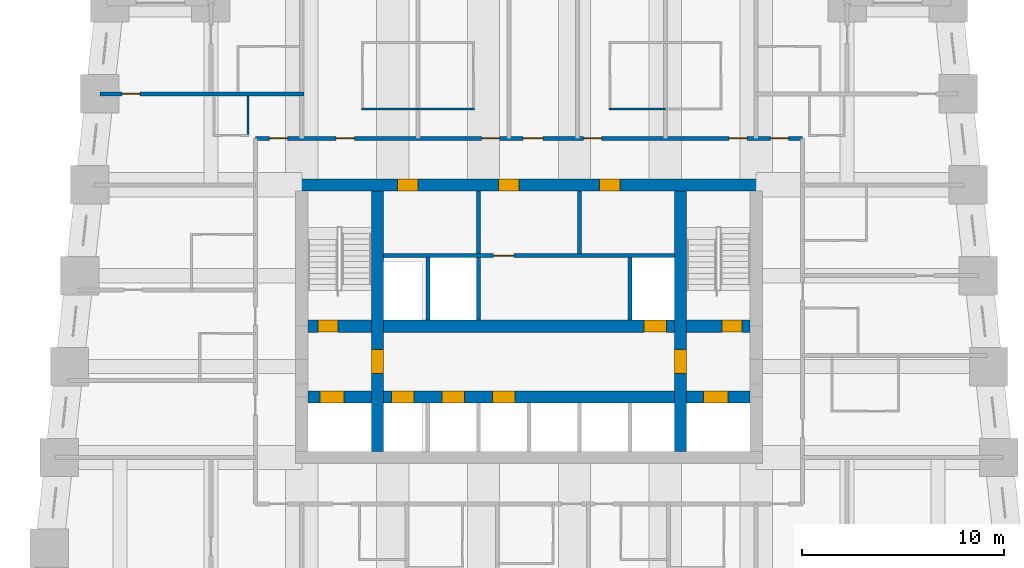
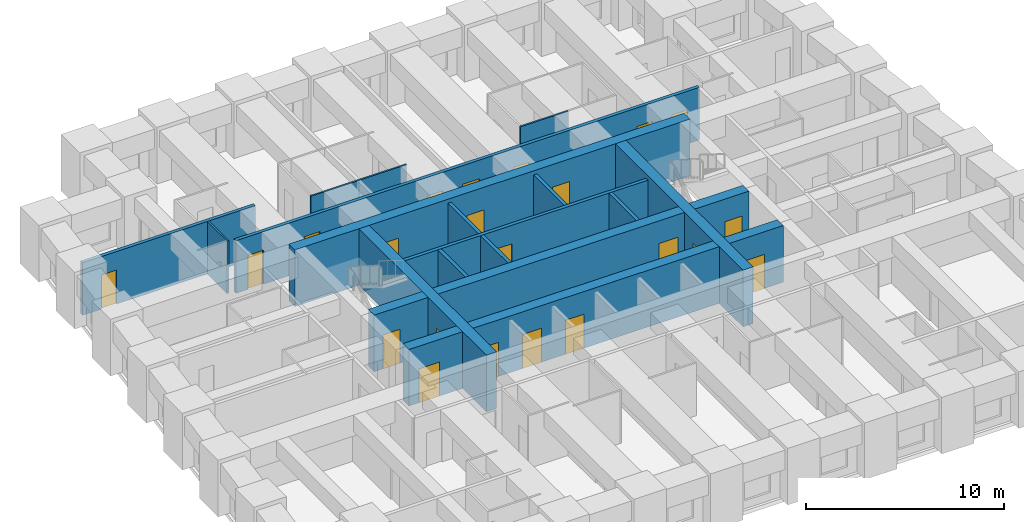
# One storey, part 4 of 8: 22 doors, 17 walls, 22 openings.
"""IFC4 building model written with IfcOpenShell, lengths in metres."""

from ifc_helpers import new_model, si_unit, direction, frame, frame_2d, origin, place, context, subcontext, project, spatial, rectangle, extrude, material, layer, layer_set, type_object, element, fill, save


model = new_model("IFC4")

# Units and contexts
model_context = context("Model", 3, precision=1e-05, world=origin(), true_north=direction((0.0, 1.0)))
body_context = subcontext(model_context, "Body", "Model", "MODEL_VIEW")
ifc_project = project(units=[si_unit("LENGTHUNIT", "METRE"), si_unit("AREAUNIT", "SQUARE_METRE"), si_unit("VOLUMEUNIT", "CUBIC_METRE"), si_unit("PLANEANGLEUNIT", "RADIAN"), si_unit("MASSUNIT", "GRAM", prefix="KILO")], contexts=[model_context])

# Site, building, storey
site_placement = place(None, origin())
site = spatial("IfcSite", under=ifc_project, at=site_placement, CompositionType="ELEMENT")
building_placement = place(site_placement, origin())
building = spatial("IfcBuilding", under=site, at=building_placement, Name="Kilele Tower Hotel", CompositionType="ELEMENT")
storey_placement = place(building_placement, frame((0.0, 0.0, 75.199951171875)))
storey = spatial("IfcBuildingStorey", under=building, at=storey_placement, Name="L18", CompositionType="ELEMENT", Elevation=75.199951171875)

# Walls
ifc_material_1 = material(Name="Moisture-resistant board")
ifc_layer_1 = layer(ifc_material_1, 0.10009765625)
ifc_layer_set_1 = layer_set([ifc_layer_1], Name="Moisture-resistant board")
wall_type_1 = type_object("IfcWallType", Name="Bathroom partition 100", PredefinedType="PLUMBINGWALL", material=ifc_layer_set_1)
for number, where, z_axis, x_axis, name in (
    (1, (16.449951171875, 30.75, 0.0), (0.0, 0.0, 1.0), (1.0, 0.0, 0.0), "Bathroom partition 100 L18"),
    (2, (19.25, 30.75, 0.0), (0.0, 0.0, 1.0), (1.0, 0.0, 0.0), "Bathroom partition 100 L18"),
    (3, (28.699951171875, 30.75, 0.0), (0.0, 0.0, 1.0), (1.0, 0.0, 0.0), "Bathroom partition 100 L18"),
):
    element("IfcWall", number, at=place(storey_placement, frame(where, z_axis=z_axis, x_axis=x_axis)), inside=storey, type_object=wall_type_1, Name=name, PredefinedType="PLUMBINGWALL", context=body_context, shape_type="SweptSolid", body=[
        extrude(rectangle(XDim=2.800048828125, YDim=0.10009765625, at=frame_2d((1.39990234375, 0.0))), origin(), (0.0, 0.0, 1.0), 3.25),
    ])
wall_1_placement = place(storey_placement, frame((10.85009765625, 31.39990234375, 0.0), z_axis=(0.0, 0.0, 1.0), x_axis=(0.0, -1.0, 0.0)))
element("IfcWall", 4, at=wall_1_placement, inside=storey, type_object=wall_type_1, Name="Bathroom partition 100 L18", PredefinedType="PLUMBINGWALL", context=body_context, shape_type="SweptSolid", body=[
    extrude(rectangle(XDim=2.0, YDim=0.10009765625, at=frame_2d((1.0, 0.0))), origin(), (0.0, 0.0, 1.0), 3.25),
])

# Wall, openings, doors
ifc_material_2 = material(Name="Concrete C60/75", Category="concrete")
ifc_layer_2 = layer(ifc_material_2, 0.60009765625)
ifc_layer_set_2 = layer_set([ifc_layer_2], Name="Concrete C60/75")
wall_type_2 = type_object("IfcWallType", Name="Core wall 600 C60/75", PredefinedType="SHEAR", material=ifc_layer_set_2)
wall_2_placement = place(storey_placement, frame((36.300048828125, 27.0, 0.0), z_axis=(0.0, 0.0, 1.0), x_axis=(-1.0, 0.0, 0.0)))
wall_2 = element("IfcWall", 5, at=wall_2_placement, inside=storey, type_object=wall_type_2, Name="Core wall N L18", PredefinedType="SHEAR", context=body_context, shape_type="SweptSolid", body=[
    extrude(rectangle(XDim=23.10009765625, YDim=0.60009765625, at=frame_2d((11.550048828125, 0.0))), origin(), (0.0, 0.0, 1.0), 3.5),
])
opening_1_placement = place(wall_2_placement, frame((17.050048828125, 0.0, 0.0)))
opening_1 = element("IfcOpeningElement", 6, at=opening_1_placement, cuts=wall_2, Name="Opening D6", PredefinedType="OPENING", context=body_context, shape_type="SweptSolid", body=[
    extrude(rectangle(XDim=1.0, YDim=2.10009765625, at=frame_2d((0.5, 1.050048828125))), frame((0.0, 0.31005859375, 0.0), z_axis=(0.0, -1.0, 0.0), x_axis=(1.0, 0.0, 0.0)), (0.0, 0.0, 1.0), 0.6201171875),
])
opening_2_placement = place(wall_2_placement, frame((12.050048828125, 0.0, 0.0)))
opening_2 = element("IfcOpeningElement", 7, at=opening_2_placement, cuts=wall_2, Name="Opening D6", PredefinedType="OPENING", context=body_context, shape_type="SweptSolid", body=[
    extrude(rectangle(XDim=1.0, YDim=2.10009765625, at=frame_2d((0.5, 1.050048828125))), frame((0.0, 0.31005859375, 0.0), z_axis=(0.0, -1.0, 0.0), x_axis=(1.0, 0.0, 0.0)), (0.0, 0.0, 1.0), 0.6201171875),
])
opening_3_placement = place(wall_2_placement, frame((7.050048828125, 0.0, 0.0)))
opening_3 = element("IfcOpeningElement", 8, at=opening_3_placement, cuts=wall_2, Name="Opening D6", PredefinedType="OPENING", context=body_context, shape_type="SweptSolid", body=[
    extrude(rectangle(XDim=1.0, YDim=2.10009765625, at=frame_2d((0.5, 1.050048828125))), frame((0.0, 0.31005859375, 0.0), z_axis=(0.0, -1.0, 0.0), x_axis=(1.0, 0.0, 0.0)), (0.0, 0.0, 1.0), 0.6201171875),
])
ifc_material_3 = material(Name="Timber door leaf in hardwood frame", Category="wood")
door_type_1 = type_object("IfcDoorType", Name="Riser door 1000", OperationType="SINGLE_SWING_LEFT", PredefinedType="DOOR", material=ifc_material_3)
door_1_placement = place(opening_1_placement, origin())
door_1 = element("IfcDoor", 9, at=door_1_placement, inside=storey, type_object=door_type_1, Name="Service riser door L18", OperationType="SINGLE_SWING_RIGHT", OverallHeight=2.10009765625, OverallWidth=1.0, PredefinedType="DOOR", context=body_context, shape_type="SweptSolid", body=[
    extrude(rectangle(XDim=1.0, YDim=2.10009765625, at=frame_2d((0.5, 1.050048828125))), frame((0.0, 0.2998046875, 0.0), z_axis=(0.0, -1.0, 0.0), x_axis=(1.0, 0.0, 0.0)), (0.0, 0.0, 1.0), 0.599609375),
])
fill(opening_1, door_1)
door_2_placement = place(opening_2_placement, origin())
door_2 = element("IfcDoor", 10, at=door_2_placement, inside=storey, type_object=door_type_1, Name="Housekeeping store door L18", OperationType="SINGLE_SWING_RIGHT", OverallHeight=2.10009765625, OverallWidth=1.0, PredefinedType="DOOR", context=body_context, shape_type="SweptSolid", body=[
    extrude(rectangle(XDim=1.0, YDim=2.10009765625, at=frame_2d((0.5, 1.050048828125))), frame((0.0, 0.2998046875, 0.0), z_axis=(0.0, -1.0, 0.0), x_axis=(1.0, 0.0, 0.0)), (0.0, 0.0, 1.0), 0.599609375),
])
fill(opening_2, door_2)
door_3_placement = place(opening_3_placement, origin())
door_3 = element("IfcDoor", 11, at=door_3_placement, inside=storey, type_object=door_type_1, Name="Electrical riser door L18", OperationType="SINGLE_SWING_RIGHT", OverallHeight=2.10009765625, OverallWidth=1.0, PredefinedType="DOOR", context=body_context, shape_type="SweptSolid", body=[
    extrude(rectangle(XDim=1.0, YDim=2.10009765625, at=frame_2d((0.5, 1.050048828125))), frame((0.0, 0.2998046875, 0.0), z_axis=(0.0, -1.0, 0.0), x_axis=(1.0, 0.0, 0.0)), (0.0, 0.0, 1.0), 0.599609375),
])
fill(opening_3, door_3)

# Wall, opening, door
wall_3_placement = place(storey_placement, frame((17.25, 13.800048828125, 0.0), z_axis=(0.0, 0.0, 1.0), x_axis=(0.0, 1.0, 0.0)))
wall_3 = element("IfcWall", 12, at=wall_3_placement, inside=storey, type_object=wall_type_2, Name="Core wall IW L18", PredefinedType="SHEAR", context=body_context, shape_type="SweptSolid", body=[
    extrude(rectangle(XDim=12.89990234375, YDim=0.60009765625, at=frame_2d((6.449951171875, 0.0))), origin(), (0.0, 0.0, 1.0), 3.5),
])
opening_4_placement = place(wall_3_placement, frame((3.85009765625, 0.0, 0.0)))
opening_4 = element("IfcOpeningElement", 13, at=opening_4_placement, cuts=wall_3, Name="Opening D4", PredefinedType="OPENING", context=body_context, shape_type="SweptSolid", body=[
    extrude(rectangle(XDim=1.199951171875, YDim=2.10009765625, at=frame_2d((0.60009765625, 1.050048828125))), frame((0.0, 0.31005859375, 0.0), z_axis=(0.0, -1.0, 0.0), x_axis=(1.0, 0.0, 0.0)), (0.0, 0.0, 1.0), 0.6201171875),
])
ifc_material_4 = material(Name="Timber door leaf in hardwood frame", Category="wood")
door_type_2 = type_object("IfcDoorType", Name="Firefighting lobby door 1200", OperationType="SINGLE_SWING_LEFT", PredefinedType="DOOR", material=ifc_material_4)
door_4_placement = place(opening_4_placement, origin())
door_4 = element("IfcDoor", 14, at=door_4_placement, inside=storey, type_object=door_type_2, Name="Lobby door L18", OperationType="SINGLE_SWING_LEFT", OverallHeight=2.10009765625, OverallWidth=1.199951171875, PredefinedType="DOOR", context=body_context, shape_type="SweptSolid", body=[
    extrude(rectangle(XDim=1.199951171875, YDim=2.10009765625, at=frame_2d((0.60009765625, 1.050048828125))), frame((0.0, 0.2998046875, 0.0), z_axis=(0.0, -1.0, 0.0), x_axis=(1.0, 0.0, 0.0)), (0.0, 0.0, 1.0), 0.599609375),
])
fill(opening_4, door_4)

wall_4_placement = place(storey_placement, frame((32.25, 13.800048828125, 0.0), z_axis=(0.0, 0.0, 1.0), x_axis=(0.0, 1.0, 0.0)))
wall_4 = element("IfcWall", 15, at=wall_4_placement, inside=storey, type_object=wall_type_2, Name="Core wall IE L18", PredefinedType="SHEAR", context=body_context, shape_type="SweptSolid", body=[
    extrude(rectangle(XDim=12.89990234375, YDim=0.60009765625, at=frame_2d((6.449951171875, 0.0))), origin(), (0.0, 0.0, 1.0), 3.5),
])
opening_5_placement = place(wall_4_placement, frame((5.050048828125, 0.0, 0.0), z_axis=(0.0, 0.0, 1.0), x_axis=(-1.0, 0.0, 0.0)))
opening_5 = element("IfcOpeningElement", 16, at=opening_5_placement, cuts=wall_4, Name="Opening D4", PredefinedType="OPENING", context=body_context, shape_type="SweptSolid", body=[
    extrude(rectangle(XDim=1.199951171875, YDim=2.10009765625, at=frame_2d((0.60009765625, 1.050048828125))), frame((0.0, 0.31005859375, 0.0), z_axis=(0.0, -1.0, 0.0), x_axis=(1.0, 0.0, 0.0)), (0.0, 0.0, 1.0), 0.6201171875),
])
door_5_placement = place(opening_5_placement, origin())
door_5 = element("IfcDoor", 17, at=door_5_placement, inside=storey, type_object=door_type_2, Name="Lobby door L18", OperationType="SINGLE_SWING_RIGHT", OverallHeight=2.10009765625, OverallWidth=1.199951171875, PredefinedType="DOOR", context=body_context, shape_type="SweptSolid", body=[
    extrude(rectangle(XDim=1.199951171875, YDim=2.10009765625, at=frame_2d((0.60009765625, 1.050048828125))), frame((0.0, 0.2998046875, 0.0), z_axis=(0.0, -1.0, 0.0), x_axis=(1.0, 0.0, 0.0)), (0.0, 0.0, 1.0), 0.599609375),
])
fill(opening_5, door_5)

# Wall, openings, doors
wall_5_placement = place(storey_placement, frame((13.800048828125, 16.5, 0.0), z_axis=(0.0, 0.0, 1.0), x_axis=(1.0, 0.0, 0.0)))
wall_5 = element("IfcWall", 18, at=wall_5_placement, inside=storey, type_object=wall_type_2, Name="Core wall LS L18", PredefinedType="SHEAR", context=body_context, shape_type="SweptSolid", body=[
    extrude(rectangle(XDim=21.89990234375, YDim=0.60009765625, at=frame_2d((10.949951171875, 0.0))), origin(), (0.0, 0.0, 1.0), 3.5),
])
opening_6_placement = place(wall_5_placement, frame((4.14990234375, 0.0, 0.0)))
opening_6 = element("IfcOpeningElement", 19, at=opening_6_placement, cuts=wall_5, Name="Opening LD1", PredefinedType="OPENING", context=body_context, shape_type="SweptSolid", body=[
    extrude(rectangle(XDim=1.10009765625, YDim=2.10009765625, at=frame_2d((0.550048828125, 1.050048828125))), frame((0.0, 0.31005859375, 0.0), z_axis=(0.0, -1.0, 0.0), x_axis=(1.0, 0.0, 0.0)), (0.0, 0.0, 1.0), 0.6201171875),
])
opening_7_placement = place(wall_5_placement, frame((6.64990234375, 0.0, 0.0)))
opening_7 = element("IfcOpeningElement", 20, at=opening_7_placement, cuts=wall_5, Name="Opening LD1", PredefinedType="OPENING", context=body_context, shape_type="SweptSolid", body=[
    extrude(rectangle(XDim=1.10009765625, YDim=2.10009765625, at=frame_2d((0.550048828125, 1.050048828125))), frame((0.0, 0.31005859375, 0.0), z_axis=(0.0, -1.0, 0.0), x_axis=(1.0, 0.0, 0.0)), (0.0, 0.0, 1.0), 0.6201171875),
])
opening_8_placement = place(wall_5_placement, frame((9.14990234375, 0.0, 0.0)))
opening_8 = element("IfcOpeningElement", 21, at=opening_8_placement, cuts=wall_5, Name="Opening LD1", PredefinedType="OPENING", context=body_context, shape_type="SweptSolid", body=[
    extrude(rectangle(XDim=1.10009765625, YDim=2.10009765625, at=frame_2d((0.550048828125, 1.050048828125))), frame((0.0, 0.31005859375, 0.0), z_axis=(0.0, -1.0, 0.0), x_axis=(1.0, 0.0, 0.0)), (0.0, 0.0, 1.0), 0.6201171875),
])
opening_9_placement = place(wall_5_placement, frame((0.60009765625, 0.0, 0.0)))
opening_9 = element("IfcOpeningElement", 22, at=opening_9_placement, cuts=wall_5, Name="Opening LD2", PredefinedType="OPENING", context=body_context, shape_type="SweptSolid", body=[
    extrude(rectangle(XDim=1.199951171875, YDim=2.10009765625, at=frame_2d((0.60009765625, 1.050048828125))), frame((0.0, 0.31005859375, 0.0), z_axis=(0.0, -1.0, 0.0), x_axis=(1.0, 0.0, 0.0)), (0.0, 0.0, 1.0), 0.6201171875),
])
opening_10_placement = place(wall_5_placement, frame((19.60009765625, 0.0, 0.0)))
opening_10 = element("IfcOpeningElement", 23, at=opening_10_placement, cuts=wall_5, Name="Opening LD2", PredefinedType="OPENING", context=body_context, shape_type="SweptSolid", body=[
    extrude(rectangle(XDim=1.199951171875, YDim=2.10009765625, at=frame_2d((0.60009765625, 1.050048828125))), frame((0.0, 0.31005859375, 0.0), z_axis=(0.0, -1.0, 0.0), x_axis=(1.0, 0.0, 0.0)), (0.0, 0.0, 1.0), 0.6201171875),
])
ifc_material_5 = material(Name="Steel lift landing door", Category="steel")
door_type_3 = type_object("IfcDoorType", Name="Firefighting lift landing door 1200", OperationType="SLIDING_TO_LEFT", PredefinedType="DOOR", material=ifc_material_5)
door_6_placement = place(opening_9_placement, origin())
door_6 = element("IfcDoor", 24, at=door_6_placement, inside=storey, type_object=door_type_3, Name="Landing door FFW L18", OperationType="SLIDING_TO_LEFT", OverallHeight=2.10009765625, OverallWidth=1.199951171875, PredefinedType="DOOR", context=body_context, shape_type="SweptSolid", body=[
    extrude(rectangle(XDim=1.199951171875, YDim=2.10009765625, at=frame_2d((0.60009765625, 1.050048828125))), frame((0.0, 0.2998046875, 0.0), z_axis=(0.0, -1.0, 0.0), x_axis=(1.0, 0.0, 0.0)), (0.0, 0.0, 1.0), 0.599609375),
])
fill(opening_9, door_6)
door_7_placement = place(opening_10_placement, origin())
door_7 = element("IfcDoor", 25, at=door_7_placement, inside=storey, type_object=door_type_3, Name="Landing door FFE L18", OperationType="SLIDING_TO_LEFT", OverallHeight=2.10009765625, OverallWidth=1.199951171875, PredefinedType="DOOR", context=body_context, shape_type="SweptSolid", body=[
    extrude(rectangle(XDim=1.199951171875, YDim=2.10009765625, at=frame_2d((0.60009765625, 1.050048828125))), frame((0.0, 0.2998046875, 0.0), z_axis=(0.0, -1.0, 0.0), x_axis=(1.0, 0.0, 0.0)), (0.0, 0.0, 1.0), 0.599609375),
])
fill(opening_10, door_7)
ifc_material_6 = material(Name="Steel lift landing door", Category="steel")
door_type_4 = type_object("IfcDoorType", Name="Lift landing door 1100", OperationType="SLIDING_TO_LEFT", PredefinedType="DOOR", material=ifc_material_6)
door_8_placement = place(opening_6_placement, origin())
door_8 = element("IfcDoor", 26, at=door_8_placement, inside=storey, type_object=door_type_4, Name="Landing door L1 L18", OperationType="SLIDING_TO_LEFT", OverallHeight=2.10009765625, OverallWidth=1.10009765625, PredefinedType="DOOR", context=body_context, shape_type="SweptSolid", body=[
    extrude(rectangle(XDim=1.10009765625, YDim=2.10009765625, at=frame_2d((0.550048828125, 1.050048828125))), frame((0.0, 0.2998046875, 0.0), z_axis=(0.0, -1.0, 0.0), x_axis=(1.0, 0.0, 0.0)), (0.0, 0.0, 1.0), 0.599609375),
])
fill(opening_6, door_8)
door_9_placement = place(opening_7_placement, origin())
door_9 = element("IfcDoor", 27, at=door_9_placement, inside=storey, type_object=door_type_4, Name="Landing door L2 L18", OperationType="SLIDING_TO_LEFT", OverallHeight=2.10009765625, OverallWidth=1.10009765625, PredefinedType="DOOR", context=body_context, shape_type="SweptSolid", body=[
    extrude(rectangle(XDim=1.10009765625, YDim=2.10009765625, at=frame_2d((0.550048828125, 1.050048828125))), frame((0.0, 0.2998046875, 0.0), z_axis=(0.0, -1.0, 0.0), x_axis=(1.0, 0.0, 0.0)), (0.0, 0.0, 1.0), 0.599609375),
])
fill(opening_7, door_9)
door_10_placement = place(opening_8_placement, origin())
door_10 = element("IfcDoor", 28, at=door_10_placement, inside=storey, type_object=door_type_4, Name="Landing door L3 L18", OperationType="SLIDING_TO_LEFT", OverallHeight=2.10009765625, OverallWidth=1.10009765625, PredefinedType="DOOR", context=body_context, shape_type="SweptSolid", body=[
    extrude(rectangle(XDim=1.10009765625, YDim=2.10009765625, at=frame_2d((0.550048828125, 1.050048828125))), frame((0.0, 0.2998046875, 0.0), z_axis=(0.0, -1.0, 0.0), x_axis=(1.0, 0.0, 0.0)), (0.0, 0.0, 1.0), 0.599609375),
])
fill(opening_8, door_10)

wall_6_placement = place(storey_placement, frame((13.800048828125, 20.0, 0.0), z_axis=(0.0, 0.0, 1.0), x_axis=(1.0, 0.0, 0.0)))
wall_6 = element("IfcWall", 29, at=wall_6_placement, inside=storey, type_object=wall_type_2, Name="Core wall LN L18", PredefinedType="SHEAR", context=body_context, shape_type="SweptSolid", body=[
    extrude(rectangle(XDim=21.89990234375, YDim=0.60009765625, at=frame_2d((10.949951171875, 0.0))), origin(), (0.0, 0.0, 1.0), 3.5),
])
opening_11_placement = place(wall_6_placement, frame((0.5, 0.0, 0.0)))
opening_11 = element("IfcOpeningElement", 30, at=opening_11_placement, cuts=wall_6, Name="Opening D5", PredefinedType="OPENING", context=body_context, shape_type="SweptSolid", body=[
    extrude(rectangle(XDim=1.0, YDim=2.10009765625, at=frame_2d((0.5, 1.050048828125))), frame((0.0, 0.31005859375, 0.0), z_axis=(0.0, -1.0, 0.0), x_axis=(1.0, 0.0, 0.0)), (0.0, 0.0, 1.0), 0.6201171875),
])
opening_12_placement = place(wall_6_placement, frame((20.5, 0.0, 0.0)))
opening_12 = element("IfcOpeningElement", 31, at=opening_12_placement, cuts=wall_6, Name="Opening D5", PredefinedType="OPENING", context=body_context, shape_type="SweptSolid", body=[
    extrude(rectangle(XDim=1.0, YDim=2.10009765625, at=frame_2d((0.5, 1.050048828125))), frame((0.0, 0.31005859375, 0.0), z_axis=(0.0, -1.0, 0.0), x_axis=(1.0, 0.0, 0.0)), (0.0, 0.0, 1.0), 0.6201171875),
])
opening_13_placement = place(wall_6_placement, frame((16.64990234375, 0.0, 0.0)))
opening_13 = element("IfcOpeningElement", 32, at=opening_13_placement, cuts=wall_6, Name="Opening LD1", PredefinedType="OPENING", context=body_context, shape_type="SweptSolid", body=[
    extrude(rectangle(XDim=1.10009765625, YDim=2.10009765625, at=frame_2d((0.550048828125, 1.050048828125))), frame((0.0, 0.31005859375, 0.0), z_axis=(0.0, -1.0, 0.0), x_axis=(1.0, 0.0, 0.0)), (0.0, 0.0, 1.0), 0.6201171875),
])
door_11_placement = place(opening_13_placement, origin())
door_11 = element("IfcDoor", 33, at=door_11_placement, inside=storey, type_object=door_type_4, Name="Landing door G1 L18", OperationType="SLIDING_TO_LEFT", OverallHeight=2.10009765625, OverallWidth=1.10009765625, PredefinedType="DOOR", context=body_context, shape_type="SweptSolid", body=[
    extrude(rectangle(XDim=1.10009765625, YDim=2.10009765625, at=frame_2d((0.550048828125, 1.050048828125))), frame((0.0, 0.2998046875, 0.0), z_axis=(0.0, -1.0, 0.0), x_axis=(1.0, 0.0, 0.0)), (0.0, 0.0, 1.0), 0.599609375),
])
fill(opening_13, door_11)
ifc_material_7 = material(Name="Timber door leaf in hardwood frame", Category="wood")
door_type_5 = type_object("IfcDoorType", Name="Stair door 1000", OperationType="SINGLE_SWING_LEFT", PredefinedType="DOOR", material=ifc_material_7)
door_12_placement = place(opening_11_placement, origin())
door_12 = element("IfcDoor", 34, at=door_12_placement, inside=storey, type_object=door_type_5, Name="Stair 1 door L18", OperationType="SINGLE_SWING_LEFT", OverallHeight=2.10009765625, OverallWidth=1.0, PredefinedType="DOOR", context=body_context, shape_type="SweptSolid", body=[
    extrude(rectangle(XDim=1.0, YDim=2.10009765625, at=frame_2d((0.5, 1.050048828125))), frame((0.0, 0.2998046875, 0.0), z_axis=(0.0, -1.0, 0.0), x_axis=(1.0, 0.0, 0.0)), (0.0, 0.0, 1.0), 0.599609375),
])
fill(opening_11, door_12)
door_13_placement = place(opening_12_placement, origin())
door_13 = element("IfcDoor", 35, at=door_13_placement, inside=storey, type_object=door_type_5, Name="Stair 2 door L18", OperationType="SINGLE_SWING_RIGHT", OverallHeight=2.10009765625, OverallWidth=1.0, PredefinedType="DOOR", context=body_context, shape_type="SweptSolid", body=[
    extrude(rectangle(XDim=1.0, YDim=2.10009765625, at=frame_2d((0.5, 1.050048828125))), frame((0.0, 0.2998046875, 0.0), z_axis=(0.0, -1.0, 0.0), x_axis=(1.0, 0.0, 0.0)), (0.0, 0.0, 1.0), 0.599609375),
])
fill(opening_12, door_13)

ifc_material_8 = material(Name="Blockwork, plastered both sides", Category="masonry")
ifc_layer_3 = layer(ifc_material_8, 0.199951171875)
ifc_layer_set_3 = layer_set([ifc_layer_3], Name="Blockwork, plastered both sides")
wall_type_3 = type_object("IfcWallType", Name="Corridor wall 200", PredefinedType="PARTITIONING", material=ifc_layer_set_3)
wall_7_placement = place(storey_placement, frame((11.199951171875, 29.300048828125, 0.0), z_axis=(0.0, 0.0, 1.0), x_axis=(1.0, 0.0, 0.0)))
wall_7 = element("IfcWall", 36, at=wall_7_placement, inside=storey, type_object=wall_type_3, Name="Corridor wall 200 L18", PredefinedType="PARTITIONING", context=body_context, shape_type="SweptSolid", body=[
    extrude(rectangle(XDim=27.10009765625, YDim=0.199951171875, at=frame_2d((13.550048828125, 0.0))), origin(), (0.0, 0.0, 1.0), 3.25),
])
opening_14_placement = place(wall_7_placement, frame((4.0, 0.0, 0.0)))
opening_14 = element("IfcOpeningElement", 37, at=opening_14_placement, cuts=wall_7, Name="Opening D1", PredefinedType="OPENING", context=body_context, shape_type="SweptSolid", body=[
    extrude(rectangle(XDim=0.89990234375, YDim=2.10009765625, at=frame_2d((0.449951171875, 1.050048828125))), frame((0.0, 0.10986328125, 0.0), z_axis=(0.0, -1.0, 0.0), x_axis=(1.0, 0.0, 0.0)), (0.0, 0.0, 1.0), 0.219970703125),
])
opening_15_placement = place(wall_7_placement, frame((11.199951171875, 0.0, 0.0)))
opening_15 = element("IfcOpeningElement", 38, at=opening_15_placement, cuts=wall_7, Name="Opening D1", PredefinedType="OPENING", context=body_context, shape_type="SweptSolid", body=[
    extrude(rectangle(XDim=0.89990234375, YDim=2.10009765625, at=frame_2d((0.449951171875, 1.050048828125))), frame((0.0, 0.10986328125, 0.0), z_axis=(0.0, -1.0, 0.0), x_axis=(1.0, 0.0, 0.0)), (0.0, 0.0, 1.0), 0.219970703125),
])
opening_16_placement = place(wall_7_placement, frame((13.25, 0.0, 0.0)))
opening_16 = element("IfcOpeningElement", 39, at=opening_16_placement, cuts=wall_7, Name="Opening D8", PredefinedType="OPENING", context=body_context, shape_type="SweptSolid", body=[
    extrude(rectangle(XDim=1.0, YDim=2.10009765625, at=frame_2d((0.5, 1.050048828125))), frame((0.0, 0.10986328125, 0.0), z_axis=(0.0, -1.0, 0.0), x_axis=(1.0, 0.0, 0.0)), (0.0, 0.0, 1.0), 0.219970703125),
])
opening_17_placement = place(wall_7_placement, frame((16.25, 0.0, 0.0)))
opening_17 = element("IfcOpeningElement", 40, at=opening_17_placement, cuts=wall_7, Name="Opening D1", PredefinedType="OPENING", context=body_context, shape_type="SweptSolid", body=[
    extrude(rectangle(XDim=0.89990234375, YDim=2.10009765625, at=frame_2d((0.449951171875, 1.050048828125))), frame((0.0, 0.10986328125, 0.0), z_axis=(0.0, -1.0, 0.0), x_axis=(1.0, 0.0, 0.0)), (0.0, 0.0, 1.0), 0.219970703125),
])
opening_18_placement = place(wall_7_placement, frame((23.449951171875, 0.0, 0.0)))
opening_18 = element("IfcOpeningElement", 41, at=opening_18_placement, cuts=wall_7, Name="Opening D1", PredefinedType="OPENING", context=body_context, shape_type="SweptSolid", body=[
    extrude(rectangle(XDim=0.89990234375, YDim=2.10009765625, at=frame_2d((0.449951171875, 1.050048828125))), frame((0.0, 0.10986328125, 0.0), z_axis=(0.0, -1.0, 0.0), x_axis=(1.0, 0.0, 0.0)), (0.0, 0.0, 1.0), 0.219970703125),
])
opening_19_placement = place(wall_7_placement, frame((25.5, 0.0, 0.0)))
opening_19 = element("IfcOpeningElement", 42, at=opening_19_placement, cuts=wall_7, Name="Opening D1", PredefinedType="OPENING", context=body_context, shape_type="SweptSolid", body=[
    extrude(rectangle(XDim=0.89990234375, YDim=2.10009765625, at=frame_2d((0.449951171875, 1.050048828125))), frame((0.0, 0.10986328125, 0.0), z_axis=(0.0, -1.0, 0.0), x_axis=(1.0, 0.0, 0.0)), (0.0, 0.0, 1.0), 0.219970703125),
])
opening_20_placement = place(wall_7_placement, frame((0.699951171875, 0.0, 0.0)))
opening_20 = element("IfcOpeningElement", 43, at=opening_20_placement, cuts=wall_7, Name="Opening D1", PredefinedType="OPENING", context=body_context, shape_type="SweptSolid", body=[
    extrude(rectangle(XDim=0.89990234375, YDim=2.10009765625, at=frame_2d((0.449951171875, 1.050048828125))), frame((0.0, 0.10986328125, 0.0), z_axis=(0.0, -1.0, 0.0), x_axis=(1.0, 0.0, 0.0)), (0.0, 0.0, 1.0), 0.219970703125),
])
ifc_material_9 = material(Name="Timber door leaf in hardwood frame", Category="wood")
door_type_6 = type_object("IfcDoorType", Name="Door 1000", OperationType="SINGLE_SWING_LEFT", PredefinedType="DOOR", material=ifc_material_9)
door_14_placement = place(opening_16_placement, origin())
door_14 = element("IfcDoor", 44, at=door_14_placement, inside=storey, type_object=door_type_6, Name="Room entrance 1811", OperationType="SINGLE_SWING_LEFT", OverallHeight=2.10009765625, OverallWidth=1.0, PredefinedType="DOOR", context=body_context, shape_type="SweptSolid", body=[
    extrude(rectangle(XDim=1.0, YDim=2.10009765625, at=frame_2d((0.5, 1.050048828125))), frame((0.0, 0.02490234375, 0.0), z_axis=(0.0, -1.0, 0.0), x_axis=(1.0, 0.0, 0.0)), (0.0, 0.0, 1.0), 0.050048828125),
])
fill(opening_16, door_14)
ifc_material_10 = material(Name="Timber door leaf in hardwood frame", Category="wood")
door_type_7 = type_object("IfcDoorType", Name="Guest room entrance door 900", OperationType="SINGLE_SWING_LEFT", PredefinedType="DOOR", material=ifc_material_10)
door_15_placement = place(opening_14_placement, origin())
door_15 = element("IfcDoor", 45, at=door_15_placement, inside=storey, type_object=door_type_7, Name="Room entrance 1809", OperationType="SINGLE_SWING_LEFT", OverallHeight=2.10009765625, OverallWidth=0.89990234375, PredefinedType="DOOR", context=body_context, shape_type="SweptSolid", body=[
    extrude(rectangle(XDim=0.89990234375, YDim=2.10009765625, at=frame_2d((0.449951171875, 1.050048828125))), frame((0.0, 0.02490234375, 0.0), z_axis=(0.0, -1.0, 0.0), x_axis=(1.0, 0.0, 0.0)), (0.0, 0.0, 1.0), 0.050048828125),
])
fill(opening_14, door_15)
door_16_placement = place(opening_15_placement, origin())
door_16 = element("IfcDoor", 46, at=door_16_placement, inside=storey, type_object=door_type_7, Name="Room entrance 1810", OperationType="SINGLE_SWING_RIGHT", OverallHeight=2.10009765625, OverallWidth=0.89990234375, PredefinedType="DOOR", context=body_context, shape_type="SweptSolid", body=[
    extrude(rectangle(XDim=0.89990234375, YDim=2.10009765625, at=frame_2d((0.449951171875, 1.050048828125))), frame((0.0, 0.02490234375, 0.0), z_axis=(0.0, -1.0, 0.0), x_axis=(1.0, 0.0, 0.0)), (0.0, 0.0, 1.0), 0.050048828125),
])
fill(opening_15, door_16)
door_17_placement = place(opening_17_placement, origin())
door_17 = element("IfcDoor", 47, at=door_17_placement, inside=storey, type_object=door_type_7, Name="Room entrance 1812", OperationType="SINGLE_SWING_LEFT", OverallHeight=2.10009765625, OverallWidth=0.89990234375, PredefinedType="DOOR", context=body_context, shape_type="SweptSolid", body=[
    extrude(rectangle(XDim=0.89990234375, YDim=2.10009765625, at=frame_2d((0.449951171875, 1.050048828125))), frame((0.0, 0.02490234375, 0.0), z_axis=(0.0, -1.0, 0.0), x_axis=(1.0, 0.0, 0.0)), (0.0, 0.0, 1.0), 0.050048828125),
])
fill(opening_17, door_17)
door_18_placement = place(opening_18_placement, origin())
door_18 = element("IfcDoor", 48, at=door_18_placement, inside=storey, type_object=door_type_7, Name="Room entrance 1813", OperationType="SINGLE_SWING_RIGHT", OverallHeight=2.10009765625, OverallWidth=0.89990234375, PredefinedType="DOOR", context=body_context, shape_type="SweptSolid", body=[
    extrude(rectangle(XDim=0.89990234375, YDim=2.10009765625, at=frame_2d((0.449951171875, 1.050048828125))), frame((0.0, 0.02490234375, 0.0), z_axis=(0.0, -1.0, 0.0), x_axis=(1.0, 0.0, 0.0)), (0.0, 0.0, 1.0), 0.050048828125),
])
fill(opening_18, door_18)
door_19_placement = place(opening_19_placement, origin())
door_19 = element("IfcDoor", 49, at=door_19_placement, inside=storey, type_object=door_type_7, Name="Room entrance 1823", OperationType="SINGLE_SWING_LEFT", OverallHeight=2.10009765625, OverallWidth=0.89990234375, PredefinedType="DOOR", context=body_context, shape_type="SweptSolid", body=[
    extrude(rectangle(XDim=0.89990234375, YDim=2.10009765625, at=frame_2d((0.449951171875, 1.050048828125))), frame((0.0, 0.02490234375, 0.0), z_axis=(0.0, -1.0, 0.0), x_axis=(1.0, 0.0, 0.0)), (0.0, 0.0, 1.0), 0.050048828125),
])
fill(opening_19, door_19)
door_20_placement = place(opening_20_placement, origin())
door_20 = element("IfcDoor", 50, at=door_20_placement, inside=storey, type_object=door_type_7, Name="Room entrance 1826", OperationType="SINGLE_SWING_RIGHT", OverallHeight=2.10009765625, OverallWidth=0.89990234375, PredefinedType="DOOR", context=body_context, shape_type="SweptSolid", body=[
    extrude(rectangle(XDim=0.89990234375, YDim=2.10009765625, at=frame_2d((0.449951171875, 1.050048828125))), frame((0.0, 0.02490234375, 0.0), z_axis=(0.0, -1.0, 0.0), x_axis=(1.0, 0.0, 0.0)), (0.0, 0.0, 1.0), 0.050048828125),
])
fill(opening_20, door_20)

# Wall, opening, door
ifc_material_11 = material(Name="Blockwork, plastered both sides", Category="masonry")
ifc_layer_4 = layer(ifc_material_11, 0.199951171875)
ifc_layer_set_4 = layer_set([ifc_layer_4], Name="Blockwork, plastered both sides")
wall_type_4 = type_object("IfcWallType", Name="Party wall 200", PredefinedType="PARTITIONING", material=ifc_layer_set_4)
wall_8_placement = place(storey_placement, frame((13.60009765625, 31.5, 0.0), z_axis=(0.0, 0.0, 1.0), x_axis=(-1.0, 0.0, 0.0)))
wall_8 = element("IfcWall", 51, at=wall_8_placement, inside=storey, type_object=wall_type_4, Name="Party wall 200 L18", PredefinedType="PARTITIONING", context=body_context, shape_type="SweptSolid", body=[
    extrude(rectangle(XDim=10.09912109375, YDim=0.199951171875, at=frame_2d((5.049560546875, 0.0))), origin(), (0.0, 0.0, 1.0), 3.25),
])
opening_21_placement = place(wall_8_placement, frame((8.9990234375, 0.0, 0.0), z_axis=(0.0, 0.0, 1.0), x_axis=(-1.0, 0.0, 0.0)))
opening_21 = element("IfcOpeningElement", 52, at=opening_21_placement, cuts=wall_8, Name="Opening D3", PredefinedType="OPENING", context=body_context, shape_type="SweptSolid", body=[
    extrude(rectangle(XDim=0.89990234375, YDim=2.10009765625, at=frame_2d((0.449951171875, 1.050048828125))), frame((0.0, 0.10986328125, 0.0), z_axis=(0.0, -1.0, 0.0), x_axis=(1.0, 0.0, 0.0)), (0.0, 0.0, 1.0), 0.219970703125),
])
ifc_material_12 = material(Name="Timber door leaf in hardwood frame", Category="wood")
door_type_8 = type_object("IfcDoorType", Name="Suite internal door 900", OperationType="SINGLE_SWING_LEFT", PredefinedType="DOOR", material=ifc_material_12)
door_21_placement = place(opening_21_placement, origin())
door_21 = element("IfcDoor", 53, at=door_21_placement, inside=storey, type_object=door_type_8, Name="Suite door 1827", OperationType="SINGLE_SWING_LEFT", OverallHeight=2.10009765625, OverallWidth=0.89990234375, PredefinedType="DOOR", context=body_context, shape_type="SweptSolid", body=[
    extrude(rectangle(XDim=0.89990234375, YDim=2.10009765625, at=frame_2d((0.449951171875, 1.050048828125))), frame((0.0, 0.02490234375, 0.0), z_axis=(0.0, -1.0, 0.0), x_axis=(1.0, 0.0, 0.0)), (0.0, 0.0, 1.0), 0.050048828125),
])
fill(opening_21, door_21)

# Walls
ifc_material_13 = material(Name="Blockwork, fire-rated", Category="masonry")
ifc_layer_5 = layer(ifc_material_13, 0.199951171875)
ifc_layer_set_5 = layer_set([ifc_layer_5], Name="Blockwork, fire-rated")
wall_type_5 = type_object("IfcWallType", Name="Shaft wall 200", PredefinedType="PARTITIONING", material=ifc_layer_set_5)
for number, where, z_axis, x_axis, name in (
    (54, (19.75, 20.300048828125, 0.0), (0.0, 0.0, 1.0), (0.0, 1.0, 0.0), "Shaft wall 200 L18"),
    (55, (22.25, 20.300048828125, 0.0), (0.0, 0.0, 1.0), (0.0, 1.0, 0.0), "Shaft wall 200 L18"),
    (56, (29.75, 20.300048828125, 0.0), (0.0, 0.0, 1.0), (0.0, 1.0, 0.0), "Shaft wall 200 L18"),
):
    element("IfcWall", number, at=place(storey_placement, frame(where, z_axis=z_axis, x_axis=x_axis)), inside=storey, type_object=wall_type_5, Name=name, PredefinedType="PARTITIONING", context=body_context, shape_type="SweptSolid", body=[
        extrude(rectangle(XDim=3.099853515625, YDim=0.199951171875, at=frame_2d((1.5498046875, 0.0))), origin(), (0.0, 0.0, 1.0), 3.25),
    ])

# Wall, opening, door
wall_9_placement = place(storey_placement, frame((17.550048828125, 23.5, 0.0), z_axis=(0.0, 0.0, 1.0), x_axis=(1.0, 0.0, 0.0)))
wall_9 = element("IfcWall", 57, at=wall_9_placement, inside=storey, type_object=wall_type_5, Name="Shaft wall 200 L18", PredefinedType="PARTITIONING", context=body_context, shape_type="SweptSolid", body=[
    extrude(rectangle(XDim=14.39990234375, YDim=0.199951171875, at=frame_2d((7.199951171875, 0.0))), origin(), (0.0, 0.0, 1.0), 3.25),
])
opening_22_placement = place(wall_9_placement, frame((5.449951171875, 0.0, 0.0)))
opening_22 = element("IfcOpeningElement", 58, at=opening_22_placement, cuts=wall_9, Name="Opening D11", PredefinedType="OPENING", context=body_context, shape_type="SweptSolid", body=[
    extrude(rectangle(XDim=1.0, YDim=2.10009765625, at=frame_2d((0.5, 1.050048828125))), frame((0.0, 0.10986328125, 0.0), z_axis=(0.0, -1.0, 0.0), x_axis=(1.0, 0.0, 0.0)), (0.0, 0.0, 1.0), 0.219970703125),
])
ifc_material_14 = material(Name="Timber door leaf in hardwood frame", Category="wood")
door_type_9 = type_object("IfcDoorType", Name="Core store door 1000", OperationType="SINGLE_SWING_LEFT", PredefinedType="DOOR", material=ifc_material_14)
door_22_placement = place(opening_22_placement, origin())
door_22 = element("IfcDoor", 59, at=door_22_placement, inside=storey, type_object=door_type_9, Name="Core room door H1", OperationType="SINGLE_SWING_LEFT", OverallHeight=2.10009765625, OverallWidth=1.0, PredefinedType="DOOR", context=body_context, shape_type="SweptSolid", body=[
    extrude(rectangle(XDim=1.0, YDim=2.10009765625, at=frame_2d((0.5, 1.050048828125))), frame((0.0, 0.02490234375, 0.0), z_axis=(0.0, -1.0, 0.0), x_axis=(1.0, 0.0, 0.0)), (0.0, 0.0, 1.0), 0.050048828125),
])
fill(opening_22, door_22)

# Walls
for number, where, z_axis, x_axis, name in (
    (60, (22.25, 23.60009765625, 0.0), (0.0, 0.0, 1.0), (0.0, 1.0, 0.0), "Shaft wall 200 L18"),
    (61, (27.25, 23.60009765625, 0.0), (0.0, 0.0, 1.0), (0.0, 1.0, 0.0), "Shaft wall 200 L18"),
):
    element("IfcWall", number, at=place(storey_placement, frame(where, z_axis=z_axis, x_axis=x_axis)), inside=storey, type_object=wall_type_5, Name=name, PredefinedType="PARTITIONING", context=body_context, shape_type="SweptSolid", body=[
        extrude(rectangle(XDim=3.099853515625, YDim=0.199951171875, at=frame_2d((1.5498046875, 0.0))), origin(), (0.0, 0.0, 1.0), 3.25),
    ])

save(model, "model.ifc")
